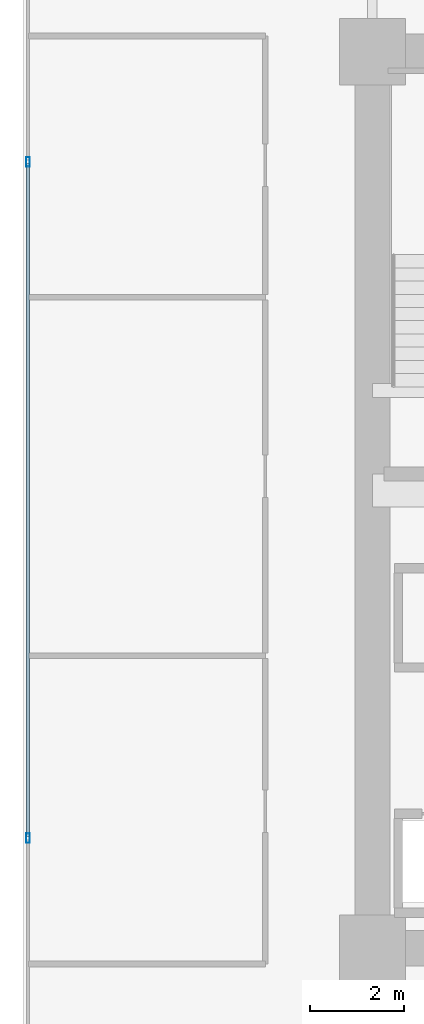
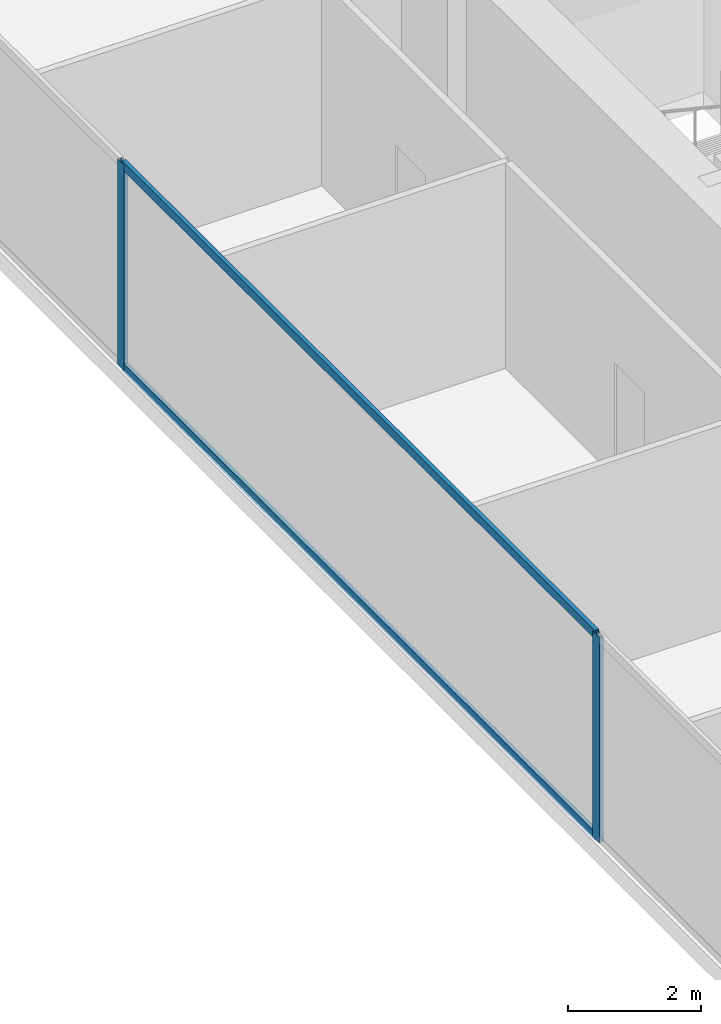
# One storey, part 6 of 35: 4 members, 1 element without a shape of its own.
"""IFC4 building model written with IfcOpenShell, lengths in metres."""

from ifc_helpers import new_model, si_unit, direction, frame, origin, origin_2d, place, context, subcontext, project, spatial, hollow_rectangle, extrude, source, transform, mapped, material, layer, layer_set, material_profile, profile_set, type_object, type_shapes, element, aggregate, save


model = new_model("IFC4")

# Units and contexts
model_context = context("Model", 3, precision=1e-05, world=origin(), true_north=direction((0.0, 1.0)))
body_context = subcontext(model_context, "Body", "Model", "MODEL_VIEW")
ifc_project = project(units=[si_unit("LENGTHUNIT", "METRE"), si_unit("AREAUNIT", "SQUARE_METRE"), si_unit("VOLUMEUNIT", "CUBIC_METRE"), si_unit("PLANEANGLEUNIT", "RADIAN"), si_unit("MASSUNIT", "GRAM", prefix="KILO")], contexts=[model_context])

# Site, building, storey
site_placement = place(None, origin())
site = spatial("IfcSite", under=ifc_project, at=site_placement, CompositionType="ELEMENT")
building_placement = place(site_placement, origin())
building = spatial("IfcBuilding", under=site, at=building_placement, Name="Haelvirn Gate Laboratories", CompositionType="ELEMENT")
storey_placement = place(building_placement, frame((0.0, 0.0, 58.0)))
storey = spatial("IfcBuildingStorey", under=building, at=storey_placement, Name="L14", CompositionType="ELEMENT", Elevation=58.0)

# Curtain wall, members
ifc_material_1 = material(Name="Anodised bronze unitised aluminium & triple low-E glass", Category="aluminium")
ifc_layer = layer(ifc_material_1, 0.18408203125, Name="CW-SYS-2")
ifc_layer_set = layer_set([ifc_layer], Name="Anodised bronze unitised aluminium & triple low-E glass")
curtain_wall_type = type_object("IfcCurtainWallType", Name="CW-SYS-2", PredefinedType="NOTDEFINED", material=ifc_layer_set)
curtain_wall_placement = place(storey_placement, origin())
curtain_wall = element("IfcCurtainWall", 1, at=curtain_wall_placement, inside=storey, type_object=curtain_wall_type, Name="L14 Unitised Curtain Wall CW-L14-P0-E17", PredefinedType="NOTDEFINED")
ifc_material_2 = material(Name="Extruded aluminium 6063-T6 (anodised bronze)", Category="aluminium")
ifc_material_profile_1 = material_profile(ifc_material_2, hollow_rectangle(XDim=0.074951171875, YDim=0.199951171875, WallThickness=0.0048828125, at=origin_2d()), Name="CWM-200x75x5")
ifc_profile_set_1 = profile_set([ifc_material_profile_1], Name="Extruded aluminium 6063-T6 (anodised bronze)")
member_type_1 = type_object("IfcMemberType", Name="CWM-T200", PredefinedType="MULLION", material=ifc_profile_set_1)
shared_shape_1 = source(origin(), body_context, "Body", "SweptSolid", [
    extrude(hollow_rectangle(XDim=0.074951171875, YDim=0.199951171875, WallThickness=0.0048828125, at=origin_2d()), origin(), (0.0, 0.0, 1.0), 3.780029296875),
])
type_shapes(member_type_1, [shared_shape_1])
member_1_placement = place(storey_placement, frame((0.10009765625, 31.466552734375, 0.0), z_axis=(0.0, 0.0, 1.0), x_axis=(1.0, 0.0, 0.0)))
member_1 = element("IfcMember", 2, at=member_1_placement, type_object=member_type_1, Name="CW2 mullion 2", PredefinedType="MULLION", context=body_context, shape_type="MappedRepresentation", body=[
    mapped(shared_shape_1, transform((0.0, 0.0, 0.0), scale=1.0)),
])
member_2_placement = place(storey_placement, frame((0.10009765625, 17.13330078125, 0.0), z_axis=(0.0, 0.0, 1.0), x_axis=(1.0, 0.0, 0.0)))
member_2 = element("IfcMember", 3, at=member_2_placement, type_object=member_type_1, Name="CW2 mullion 3", PredefinedType="MULLION", context=body_context, shape_type="MappedRepresentation", body=[
    mapped(shared_shape_1, transform((0.0, 0.0, 0.0), scale=1.0)),
])
ifc_material_profile_2 = material_profile(ifc_material_2, hollow_rectangle(XDim=0.070068359375, YDim=0.159912109375, WallThickness=0.0048828125, at=origin_2d()), Name="CWT-160x70x5")
ifc_profile_set_2 = profile_set([ifc_material_profile_2], Name="Extruded aluminium 6063-T6 (anodised bronze)")
member_type_2 = type_object("IfcMemberType", Name="CWT-T160", PredefinedType="USERDEFINED", material=ifc_profile_set_2)
shared_shape_2 = source(origin(), body_context, "Body", "SweptSolid", [
    extrude(hollow_rectangle(XDim=0.070068359375, YDim=0.159912109375, WallThickness=0.0048828125, at=origin_2d()), origin(), (0.0, 0.0, 1.0), 14.25830078125),
])
type_shapes(member_type_2, [shared_shape_2])
member_3_placement = place(storey_placement, frame((0.10009765625, 31.42919921875, 0.034912109375), z_axis=(0.0, -1.0, 0.0), x_axis=(1.0, 0.0, 0.0)))
member_3 = element("IfcMember", 4, at=member_3_placement, type_object=member_type_2, Name="CW2 transom 2.1", ObjectType="TRANSOM", PredefinedType="USERDEFINED", context=body_context, shape_type="MappedRepresentation", body=[
    mapped(shared_shape_2, transform((0.0, 0.0, 0.0), scale=1.0)),
])
member_4_placement = place(storey_placement, frame((0.10009765625, 31.42919921875, 3.7451171875), z_axis=(0.0, -1.0, 0.0), x_axis=(1.0, 0.0, 0.0)))
member_4 = element("IfcMember", 5, at=member_4_placement, type_object=member_type_2, Name="CW2 transom 2.2", ObjectType="TRANSOM", PredefinedType="USERDEFINED", context=body_context, shape_type="MappedRepresentation", body=[
    mapped(shared_shape_2, transform((0.0, 0.0, 0.0), scale=1.0)),
])
aggregate(curtain_wall, [member_1, member_2, member_3, member_4])

save(model, "model.ifc")
